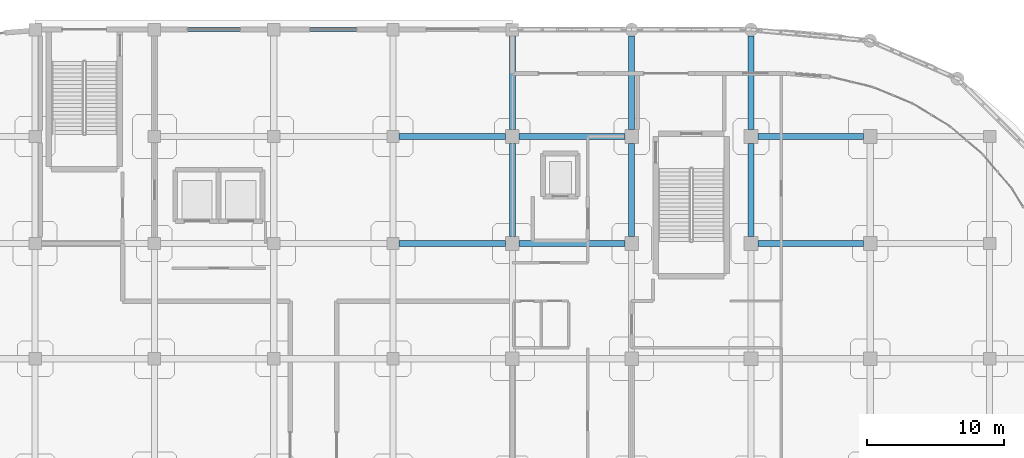
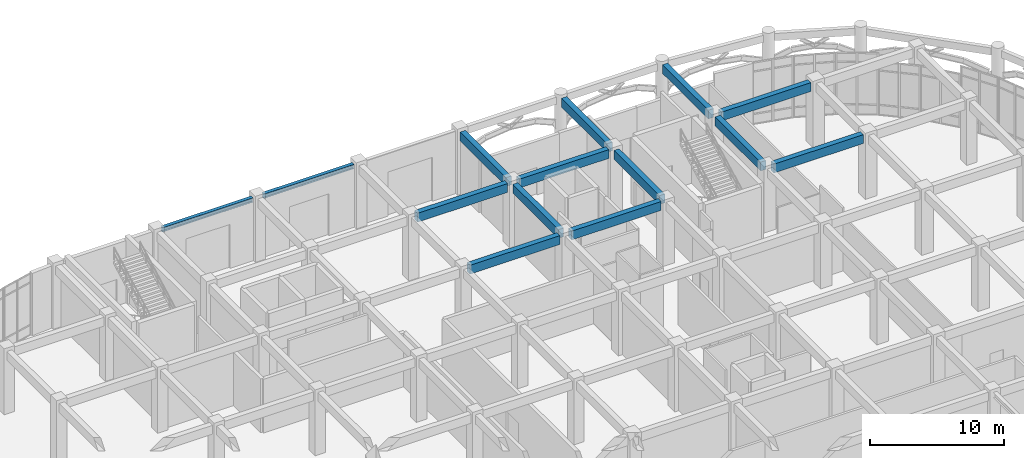
# One storey, part 24 of 82: 14 beams.
"""IFC4 building model written with IfcOpenShell, lengths in metres."""

from ifc_helpers import new_model, si_unit, derived_unit, direction, frame, origin, origin_2d, place, context, subcontext, project, spatial, rectangle, i_section, extrude, material, material_profile, profile_set, type_object, element, save


model = new_model("IFC4")

# Units and contexts
model_context = context("Model", 3, precision=1e-05, world=origin(), true_north=direction((0.0, 1.0)))
body_context = subcontext(model_context, "Body", "Model", "MODEL_VIEW")
ifc_project = project(units=[si_unit("LENGTHUNIT", "METRE"), si_unit("AREAUNIT", "SQUARE_METRE"), si_unit("VOLUMEUNIT", "CUBIC_METRE"), si_unit("PLANEANGLEUNIT", "RADIAN"), si_unit("MASSUNIT", "GRAM", prefix="KILO"), derived_unit("THERMALTRANSMITTANCEUNIT", [(si_unit("MASSUNIT", "GRAM", prefix="KILO"), 1), (si_unit("TIMEUNIT", "SECOND"), -3), (si_unit("THERMODYNAMICTEMPERATUREUNIT", "KELVIN"), -1)])], contexts=[model_context])

# Site, building, storey
site_placement = place(None, origin())
site = spatial("IfcSite", under=ifc_project, at=site_placement, CompositionType="ELEMENT")
building_placement = place(site_placement, origin())
building = spatial("IfcBuilding", under=site, at=building_placement, Name="Qinzheling Arcade Emporium", CompositionType="ELEMENT")
storey_placement = place(building_placement, origin())
storey = spatial("IfcBuildingStorey", under=building, at=storey_placement, Name="L01", CompositionType="ELEMENT", Elevation=0.0)

# Beams
ifc_material_1 = material(Name="Structural steel Q355B", Category="steel")
ifc_material_profile_1 = material_profile(ifc_material_1, i_section(OverallWidth=0.300048828125, OverallDepth=0.389892578125, WebThickness=0.010009765625, FlangeThickness=0.01611328125, FilletRadius=0.02001953125, at=origin_2d()), Name="HM 390x300x10x16", Category="steel")
ifc_profile_set_1 = profile_set([ifc_material_profile_1], Name="Structural steel Q355B")
beam_type_1 = type_object("IfcBeamType", Name="Loading Canopy Beam HM390 Q355B", PredefinedType="BEAM", material=ifc_profile_set_1)
for number, where, z_axis, x_axis, name in (
    (1, (78.75, 114.60009765625, 5.4951171875), (1.0, 0.0, 0.0), (0.0, 1.0, 0.0), "Beam BM-L01-X-P-10"),
    (2, (87.449951171875, 114.60009765625, 5.4951171875), (1.0, 0.0, 0.0), (0.0, 1.0, 0.0), "Beam BM-L01-X-P-11"),
):
    element("IfcBeam", number, at=place(storey_placement, frame(where, z_axis=z_axis, x_axis=x_axis)), inside=storey, type_object=beam_type_1, Name=name, PredefinedType="BEAM", context=body_context, shape_type="SweptSolid", body=[
        extrude(i_section(OverallWidth=0.300048828125, OverallDepth=0.389892578125, WebThickness=0.010009765625, FlangeThickness=0.01611328125, FilletRadius=0.02001953125, at=origin_2d()), origin(), (0.0, 0.0, 1.0), 7.800048828125),
    ])
ifc_material_2 = material(Name="Concrete C40", Category="concrete")
ifc_material_profile_2 = material_profile(ifc_material_2, rectangle(XDim=0.449951171875, YDim=0.800048828125, at=origin_2d()), Name="RC 450x800", Category="concrete")
ifc_profile_set_2 = profile_set([ifc_material_profile_2], Name="Concrete C40")
beam_type_2 = type_object("IfcBeamType", Name="RC Primary Frame Beam 450x800 C40", PredefinedType="BEAM", material=ifc_profile_set_2)
beam_1_placement = place(storey_placement, frame((96.14990234375, 99.0, 5.2900390625), z_axis=(1.0, 0.0, 0.0), x_axis=(0.0, 1.0, 0.0)))
element("IfcBeam", 3, at=beam_1_placement, inside=storey, type_object=beam_type_2, Name="Beam BM-L01-X-M-12", PredefinedType="BEAM", context=body_context, shape_type="SweptSolid", body=[
    extrude(rectangle(XDim=0.449951171875, YDim=0.800048828125, at=origin_2d()), origin(), (0.0, 0.0, 1.0), 7.75),
])
beam_2_placement = place(storey_placement, frame((104.89990234375, 99.0, 5.3349609375), z_axis=(1.0, 0.0, 0.0), x_axis=(0.0, 1.0, 0.0)))
element("IfcBeam", 4, at=beam_2_placement, inside=storey, type_object=beam_type_2, Name="Beam BM-L01-X-M-13", PredefinedType="BEAM", context=body_context, shape_type="SweptSolid", body=[
    extrude(rectangle(XDim=0.449951171875, YDim=0.800048828125, at=origin_2d()), origin(), (0.0, 0.0, 1.0), 7.7001953125),
])
beam_3_placement = place(storey_placement, frame((122.300048828125, 99.0, 5.3349609375), z_axis=(1.0, 0.0, 0.0), x_axis=(0.0, 1.0, 0.0)))
element("IfcBeam", 5, at=beam_3_placement, inside=storey, type_object=beam_type_2, Name="Beam BM-L01-X-M-15", PredefinedType="BEAM", context=body_context, shape_type="SweptSolid", body=[
    extrude(rectangle(XDim=0.449951171875, YDim=0.800048828125, at=origin_2d()), origin(), (0.0, 0.0, 1.0), 7.699951171875),
])
beam_4_placement = place(storey_placement, frame((96.14990234375, 106.800048828125, 5.2900390625), z_axis=(1.0, 0.0, 0.0), x_axis=(0.0, 1.0, 0.0)))
element("IfcBeam", 6, at=beam_4_placement, inside=storey, type_object=beam_type_2, Name="Beam BM-L01-X-N-12", PredefinedType="BEAM", context=body_context, shape_type="SweptSolid", body=[
    extrude(rectangle(XDim=0.449951171875, YDim=0.800048828125, at=origin_2d()), origin(), (0.0, 0.0, 1.0), 7.75),
])
beam_5_placement = place(storey_placement, frame((104.89990234375, 106.800048828125, 5.3349609375), z_axis=(1.0, 0.0, 0.0), x_axis=(0.0, 1.0, 0.0)))
element("IfcBeam", 7, at=beam_5_placement, inside=storey, type_object=beam_type_2, Name="Beam BM-L01-X-N-13", PredefinedType="BEAM", context=body_context, shape_type="SweptSolid", body=[
    extrude(rectangle(XDim=0.449951171875, YDim=0.800048828125, at=origin_2d()), origin(), (0.0, 0.0, 1.0), 7.7001953125),
])
beam_6_placement = place(storey_placement, frame((122.300048828125, 106.800048828125, 5.3349609375), z_axis=(1.0, 0.0, 0.0), x_axis=(0.0, 1.0, 0.0)))
element("IfcBeam", 8, at=beam_6_placement, inside=storey, type_object=beam_type_2, Name="Beam BM-L01-X-N-15", PredefinedType="BEAM", context=body_context, shape_type="SweptSolid", body=[
    extrude(rectangle(XDim=0.449951171875, YDim=0.800048828125, at=origin_2d()), origin(), (0.0, 0.0, 1.0), 7.699951171875),
])
beam_7_placement = place(storey_placement, frame((104.39990234375, 99.5, 5.2900390625), z_axis=(0.0, 1.0, 0.0), x_axis=(-1.0, 0.0, 0.0)))
element("IfcBeam", 9, at=beam_7_placement, inside=storey, type_object=beam_type_2, Name="Beam BM-L01-Y-13-M", PredefinedType="BEAM", context=body_context, shape_type="SweptSolid", body=[
    extrude(rectangle(XDim=0.449951171875, YDim=0.800048828125, at=origin_2d()), origin(), (0.0, 0.0, 1.0), 6.800048828125),
])
beam_8_placement = place(storey_placement, frame((104.39990234375, 107.300048828125, 5.2900390625), z_axis=(0.0, 1.0, 0.0), x_axis=(-1.0, 0.0, 0.0)))
element("IfcBeam", 10, at=beam_8_placement, inside=storey, type_object=beam_type_2, Name="Beam BM-L01-Y-13-N", PredefinedType="BEAM", context=body_context, shape_type="SweptSolid", body=[
    extrude(rectangle(XDim=0.449951171875, YDim=0.800048828125, at=origin_2d()), origin(), (0.0, 0.0, 1.0), 6.849853515625),
])
beam_9_placement = place(storey_placement, frame((113.10009765625, 99.5, 5.3349609375), z_axis=(0.0, 1.0, 0.0), x_axis=(-1.0, 0.0, 0.0)))
element("IfcBeam", 11, at=beam_9_placement, inside=storey, type_object=beam_type_2, Name="Beam BM-L01-Y-14-M", PredefinedType="BEAM", context=body_context, shape_type="SweptSolid", body=[
    extrude(rectangle(XDim=0.449951171875, YDim=0.800048828125, at=origin_2d()), origin(), (0.0, 0.0, 1.0), 6.800048828125),
])
beam_10_placement = place(storey_placement, frame((113.10009765625, 107.300048828125, 5.3349609375), z_axis=(0.0, 1.0, 0.0), x_axis=(-1.0, 0.0, 0.0)))
element("IfcBeam", 12, at=beam_10_placement, inside=storey, type_object=beam_type_2, Name="Beam BM-L01-Y-14-N", PredefinedType="BEAM", context=body_context, shape_type="SweptSolid", body=[
    extrude(rectangle(XDim=0.449951171875, YDim=0.800048828125, at=origin_2d()), origin(), (0.0, 0.0, 1.0), 6.824951171875),
])
beam_11_placement = place(storey_placement, frame((121.800048828125, 99.5, 5.3349609375), z_axis=(0.0, 1.0, 0.0), x_axis=(-1.0, 0.0, 0.0)))
element("IfcBeam", 13, at=beam_11_placement, inside=storey, type_object=beam_type_2, Name="Beam BM-L01-Y-15-M", PredefinedType="BEAM", context=body_context, shape_type="SweptSolid", body=[
    extrude(rectangle(XDim=0.449951171875, YDim=0.800048828125, at=origin_2d()), origin(), (0.0, 0.0, 1.0), 6.800048828125),
])
beam_12_placement = place(storey_placement, frame((121.800048828125, 107.300048828125, 5.3349609375), z_axis=(0.0, 1.0, 0.0), x_axis=(-1.0, 0.0, 0.0)))
element("IfcBeam", 14, at=beam_12_placement, inside=storey, type_object=beam_type_2, Name="Beam BM-L01-Y-15-N", PredefinedType="BEAM", context=body_context, shape_type="SweptSolid", body=[
    extrude(rectangle(XDim=0.449951171875, YDim=0.800048828125, at=origin_2d()), origin(), (0.0, 0.0, 1.0), 6.824951171875),
])

save(model, "model.ifc")
